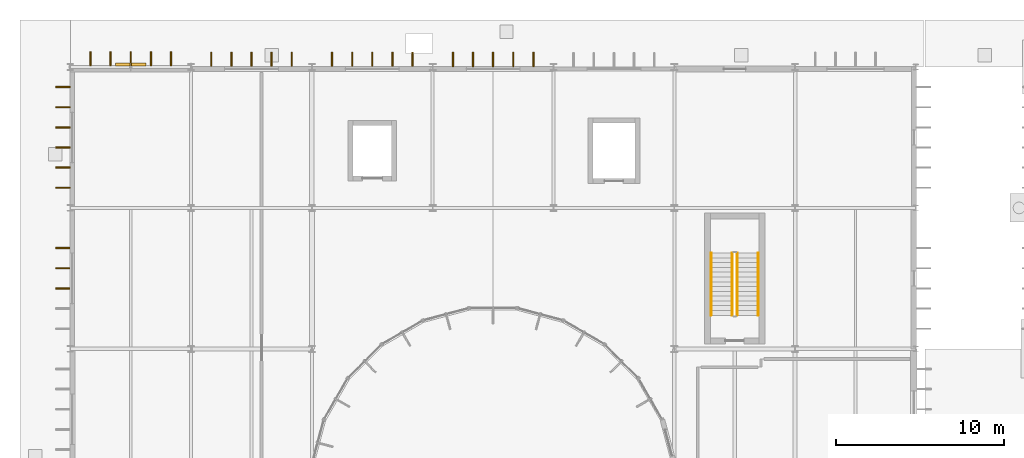
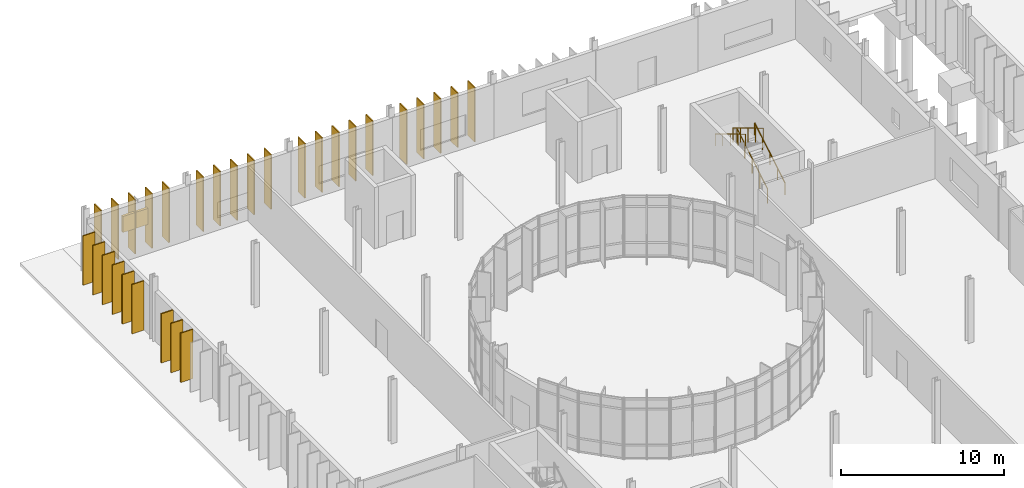
# One storey, part 110 of 118: 30 shading devices, 4 railings.
"""IFC4 building model written with IfcOpenShell, lengths in metres."""

from ifc_helpers import new_model, si_unit, direction, frame, origin, origin_2d, place, context, subcontext, project, spatial, rectangle, circle, extrude, material, type_object, element, save


model = new_model("IFC4")

# Units and contexts
model_context = context("Model", 3, precision=1e-05, world=origin(), true_north=direction((0.0, 1.0)))
body_context = subcontext(model_context, "Body", "Model", "MODEL_VIEW")
ifc_project = project(units=[si_unit("LENGTHUNIT", "METRE"), si_unit("AREAUNIT", "SQUARE_METRE"), si_unit("VOLUMEUNIT", "CUBIC_METRE"), si_unit("PLANEANGLEUNIT", "RADIAN"), si_unit("MASSUNIT", "GRAM", prefix="KILO")], contexts=[model_context])

# Site, building, storey
site_placement = place(None, origin())
site = spatial("IfcSite", under=ifc_project, at=site_placement, CompositionType="ELEMENT")
building_placement = place(site_placement, origin())
building = spatial("IfcBuilding", under=site, at=building_placement, Name="Qelthora Terrace Specialist Clinic", CompositionType="ELEMENT")
storey_placement = place(building_placement, origin())
storey = spatial("IfcBuildingStorey", under=building, at=storey_placement, Name="L00", CompositionType="ELEMENT", Elevation=0.0)

# Railings
ifc_material_1 = material(Name="Steel S355", Category="steel")
railing_type_1 = type_object("IfcRailingType", Name="RAL-GD-1100-S355", PredefinedType="GUARDRAIL", material=ifc_material_1)
railing_1_placement = place(storey_placement, frame((39.75, 94.39990234375, 0.17138671875)))
element("IfcRailing", 1, at=railing_1_placement, inside=storey, type_object=railing_type_1, Name="L00 ST-02 stair guard 1", PredefinedType="GUARDRAIL", context=body_context, shape_type="SweptSolid", body=[
    extrude(circle(Radius=0.02392578125, at=origin_2d()), frame((0.0, 0.0, 1.076171875), z_axis=(0.0, 0.856934400257, 0.515425487977), x_axis=(-1.0, 0.0, 0.0)), (0.0, 0.0, 1.0), 4.32373046875),
    extrude(circle(Radius=0.02099609375, at=origin_2d()), origin(), (0.0, 0.0, 1.0), 1.052001953125),
    extrude(circle(Radius=0.02099609375, at=origin_2d()), frame((0.0, 0.92626953125, 0.55712890625)), (0.0, 0.0, 1.0), 1.052001953125),
    extrude(circle(Radius=0.02099609375, at=origin_2d()), frame((0.0, 1.8525390625, 1.1142578125)), (0.0, 0.0, 1.0), 1.052001953125),
    extrude(circle(Radius=0.02099609375, at=origin_2d()), frame((0.0, 2.77880859375, 1.67138671875)), (0.0, 0.0, 1.0), 1.052001953125),
    extrude(circle(Radius=0.02099609375, at=origin_2d()), frame((0.0, 3.705078125, 2.228515625)), (0.0, 0.0, 1.0), 1.052001953125),
])
railing_2_placement = place(storey_placement, frame((39.449951171875, 98.10498046875, 2.571533203125)))
element("IfcRailing", 2, at=railing_2_placement, inside=storey, type_object=railing_type_1, Name="L00 ST-02 stair guard 3", PredefinedType="GUARDRAIL", context=body_context, shape_type="SweptSolid", body=[
    extrude(circle(Radius=0.02392578125, at=origin_2d()), frame((0.0, 0.0, 1.076171875), z_axis=(0.0, -0.856934400257, 0.515425487977), x_axis=(1.0, 0.0, 0.0)), (0.0, 0.0, 1.0), 4.32373046875),
    extrude(circle(Radius=0.02099609375, at=origin_2d()), origin(), (0.0, 0.0, 1.0), 1.052001953125),
    extrude(circle(Radius=0.02099609375, at=origin_2d()), frame((0.0, -0.92626953125, 0.55712890625)), (0.0, 0.0, 1.0), 1.052001953125),
    extrude(circle(Radius=0.02099609375, at=origin_2d()), frame((0.0, -1.8525390625, 1.1142578125)), (0.0, 0.0, 1.0), 1.052001953125),
    extrude(circle(Radius=0.02099609375, at=origin_2d()), frame((0.0, -2.77880859375, 1.67138671875)), (0.0, 0.0, 1.0), 1.052001953125),
    extrude(circle(Radius=0.02099609375, at=origin_2d()), frame((0.0, -3.705078125, 2.228515625)), (0.0, 0.0, 1.0), 1.052001953125),
])
railing_type_2 = type_object("IfcRailingType", Name="RAL-HR-900-S355", PredefinedType="HANDRAIL", material=ifc_material_1)
railing_3_placement = place(storey_placement, frame((41.0, 94.39990234375, 0.36083984375)))
element("IfcRailing", 3, at=railing_3_placement, inside=storey, type_object=railing_type_2, Name="L00 ST-02 stair handrail 1", PredefinedType="HANDRAIL", context=body_context, shape_type="SweptSolid", body=[
    extrude(circle(Radius=0.02392578125, at=origin_2d()), frame((0.0, 0.0, 0.8759765625), z_axis=(0.0, 0.856934400257, 0.515425487977), x_axis=(-1.0, 0.0, 0.0)), (0.0, 0.0, 1.0), 4.32373046875),
    extrude(circle(Radius=0.02099609375, at=origin_2d()), origin(), (0.0, 0.0, 1.0), 0.851806640625),
    extrude(circle(Radius=0.02099609375, at=origin_2d()), frame((0.0, 0.92626953125, 0.55712890625)), (0.0, 0.0, 1.0), 0.851806640625),
    extrude(circle(Radius=0.02099609375, at=origin_2d()), frame((0.0, 1.8525390625, 1.1142578125)), (0.0, 0.0, 1.0), 0.851806640625),
    extrude(circle(Radius=0.02099609375, at=origin_2d()), frame((0.0, 2.77880859375, 1.67138671875)), (0.0, 0.0, 1.0), 0.851806640625),
    extrude(circle(Radius=0.02099609375, at=origin_2d()), frame((0.0, 3.705078125, 2.228515625)), (0.0, 0.0, 1.0), 0.851806640625),
])
railing_4_placement = place(storey_placement, frame((38.199951171875, 98.10498046875, 2.7607421875)))
element("IfcRailing", 4, at=railing_4_placement, inside=storey, type_object=railing_type_2, Name="L00 ST-02 stair handrail 2", PredefinedType="HANDRAIL", context=body_context, shape_type="SweptSolid", body=[
    extrude(circle(Radius=0.02392578125, at=origin_2d()), frame((0.0, 0.0, 0.8759765625), z_axis=(0.0, -0.856909459561, 0.515466951525), x_axis=(1.0, 0.0, 0.0)), (0.0, 0.0, 1.0), 4.32373046875),
    extrude(circle(Radius=0.02099609375, at=origin_2d()), origin(), (0.0, 0.0, 1.0), 0.851806640625),
    extrude(circle(Radius=0.02099609375, at=origin_2d()), frame((0.0, -0.92626953125, 0.55712890625)), (0.0, 0.0, 1.0), 0.851806640625),
    extrude(circle(Radius=0.02099609375, at=origin_2d()), frame((0.0, -1.8525390625, 1.1142578125)), (0.0, 0.0, 1.0), 0.851806640625),
    extrude(circle(Radius=0.02099609375, at=origin_2d()), frame((0.0, -2.77880859375, 1.671630859375)), (0.0, 0.0, 1.0), 0.851806640625),
    extrude(circle(Radius=0.02099609375, at=origin_2d()), frame((0.0, -3.705078125, 2.228759765625)), (0.0, 0.0, 1.0), 0.851806640625),
])

# Shading devices
ifc_material_2 = material(Name="Glulam timber GL28h", Category="wood")
shading_device_type_1 = type_object("IfcShadingDeviceType", Name="SHD-FIN-850", PredefinedType="USERDEFINED", material=ifc_material_2)
for number, where, z_axis, x_axis, name in (
    (5, (-0.445068359375, 96.0, 0.0), (0.0, 0.0, 1.0), (-1.0, 0.0, 0.0), "Exterior solar shading fin FIN-0426"),
    (6, (-0.445068359375, 97.199951171875, 0.0), (0.0, 0.0, 1.0), (-1.0, 0.0, 0.0), "Exterior solar shading fin FIN-0427"),
    (7, (-0.445068359375, 98.39990234375, 0.0), (0.0, 0.0, 1.0), (-1.0, 0.0, 0.0), "Exterior solar shading fin FIN-0428"),
    (8, (-0.43505859375, 102.0, 0.0), (0.0, 0.0, 1.0), (-1.0, 0.0, 0.0), "Exterior solar shading fin FIN-0429"),
    (9, (-0.43505859375, 103.199951171875, 0.0), (0.0, 0.0, 1.0), (-1.0, 0.0, 0.0), "Exterior solar shading fin FIN-0430"),
    (10, (-0.43505859375, 104.39990234375, 0.0), (0.0, 0.0, 1.0), (-1.0, 0.0, 0.0), "Exterior solar shading fin FIN-0431"),
    (11, (-0.43505859375, 105.60009765625, 0.0), (0.0, 0.0, 1.0), (-1.0, 0.0, 0.0), "Exterior solar shading fin FIN-0432"),
    (12, (-0.43505859375, 106.800048828125, 0.0), (0.0, 0.0, 1.0), (-1.0, 0.0, 0.0), "Exterior solar shading fin FIN-0433"),
    (13, (-0.43505859375, 108.0, 0.0), (0.0, 0.0, 1.0), (-1.0, 0.0, 0.0), "Exterior solar shading fin FIN-0434"),
):
    element("IfcShadingDevice", number, at=place(storey_placement, frame(where, z_axis=z_axis, x_axis=x_axis)), inside=storey, type_object=shading_device_type_1, Name=name, ObjectType="FIN", PredefinedType="USERDEFINED", context=body_context, shape_type="SweptSolid", body=[
        extrude(rectangle(XDim=0.85009765625, YDim=0.080078125, at=origin_2d()), origin(), (0.0, 0.0, 1.0), 3.69091796875),
    ])
for number, where, z_axis, x_axis, name in (
    (14, (1.199951171875, 109.695068359375, 0.0), (0.0, 0.0, 1.0), (0.0, 1.0, 0.0), "Exterior solar shading fin FIN-0435"),
    (15, (2.39990234375, 109.695068359375, 0.0), (0.0, 0.0, 1.0), (0.0, 1.0, 0.0), "Exterior solar shading fin FIN-0436"),
    (16, (3.60009765625, 109.695068359375, 0.0), (0.0, 0.0, 1.0), (0.0, 1.0, 0.0), "Exterior solar shading fin FIN-0437"),
    (17, (4.800048828125, 109.695068359375, 0.0), (0.0, 0.0, 1.0), (0.0, 1.0, 0.0), "Exterior solar shading fin FIN-0438"),
    (18, (6.0, 109.695068359375, 0.0), (0.0, 0.0, 1.0), (0.0, 1.0, 0.0), "Exterior solar shading fin FIN-0439"),
    (19, (8.39990234375, 109.6650390625, 0.0), (0.0, 0.0, 1.0), (0.0, 1.0, 0.0), "Exterior solar shading fin FIN-0440"),
    (20, (9.60009765625, 109.6650390625, 0.0), (0.0, 0.0, 1.0), (0.0, 1.0, 0.0), "Exterior solar shading fin FIN-0441"),
    (21, (10.800048828125, 109.6650390625, 0.0), (0.0, 0.0, 1.0), (0.0, 1.0, 0.0), "Exterior solar shading fin FIN-0442"),
    (22, (12.0, 109.6650390625, 0.0), (0.0, 0.0, 1.0), (0.0, 1.0, 0.0), "Exterior solar shading fin FIN-0443"),
    (23, (13.199951171875, 109.6650390625, 0.0), (0.0, 0.0, 1.0), (0.0, 1.0, 0.0), "Exterior solar shading fin FIN-0444"),
    (24, (15.60009765625, 109.655029296875, 0.0), (0.0, 0.0, 1.0), (0.0, 1.0, 0.0), "Exterior solar shading fin FIN-0445"),
    (25, (16.800048828125, 109.655029296875, 0.0), (0.0, 0.0, 1.0), (0.0, 1.0, 0.0), "Exterior solar shading fin FIN-0446"),
    (26, (18.0, 109.655029296875, 0.0), (0.0, 0.0, 1.0), (0.0, 1.0, 0.0), "Exterior solar shading fin FIN-0447"),
    (27, (19.199951171875, 109.655029296875, 0.0), (0.0, 0.0, 1.0), (0.0, 1.0, 0.0), "Exterior solar shading fin FIN-0448"),
    (28, (20.39990234375, 109.655029296875, 0.0), (0.0, 0.0, 1.0), (0.0, 1.0, 0.0), "Exterior solar shading fin FIN-0449"),
    (29, (22.800048828125, 109.64501953125, 0.0), (0.0, 0.0, 1.0), (0.0, 1.0, 0.0), "Exterior solar shading fin FIN-0450"),
    (30, (24.0, 109.64501953125, 0.0), (0.0, 0.0, 1.0), (0.0, 1.0, 0.0), "Exterior solar shading fin FIN-0451"),
    (31, (25.199951171875, 109.64501953125, 0.0), (0.0, 0.0, 1.0), (0.0, 1.0, 0.0), "Exterior solar shading fin FIN-0452"),
    (32, (26.39990234375, 109.64501953125, 0.0), (0.0, 0.0, 1.0), (0.0, 1.0, 0.0), "Exterior solar shading fin FIN-0453"),
    (33, (27.60009765625, 109.64501953125, 0.0), (0.0, 0.0, 1.0), (0.0, 1.0, 0.0), "Exterior solar shading fin FIN-0454"),
):
    element("IfcShadingDevice", number, at=place(storey_placement, frame(where, z_axis=z_axis, x_axis=x_axis)), inside=storey, type_object=shading_device_type_1, Name=name, ObjectType="FIN", PredefinedType="USERDEFINED", context=body_context, shape_type="SweptSolid", body=[
        extrude(rectangle(XDim=0.85009765625, YDim=0.080078125, at=origin_2d()), origin(), (0.0, 0.0, 1.0), 4.08203125),
    ])
ifc_material_3 = material(Name="Aluminium anodized bronze", Category="aluminium")
shading_device_type_2 = type_object("IfcShadingDeviceType", Name="SHD-LOUVRE-1800", PredefinedType="USERDEFINED", material=ifc_material_3)
shading_device_placement = place(storey_placement, frame((3.60009765625, 109.360107421875, 1.89990234375), z_axis=(0.0, 0.0, 1.0), x_axis=(1.0, 0.0, 0.0)))
element("IfcShadingDevice", 34, at=shading_device_placement, inside=storey, type_object=shading_device_type_2, Name="High-altitude HVAC louvre LVR-006", ObjectType="LOUVRE", PredefinedType="USERDEFINED", context=body_context, shape_type="SweptSolid", body=[
    extrude(rectangle(XDim=1.800048828125, YDim=0.179931640625, at=origin_2d()), origin(), (0.0, 0.0, 1.0), 1.199951171875),
])

save(model, "model.ifc")
